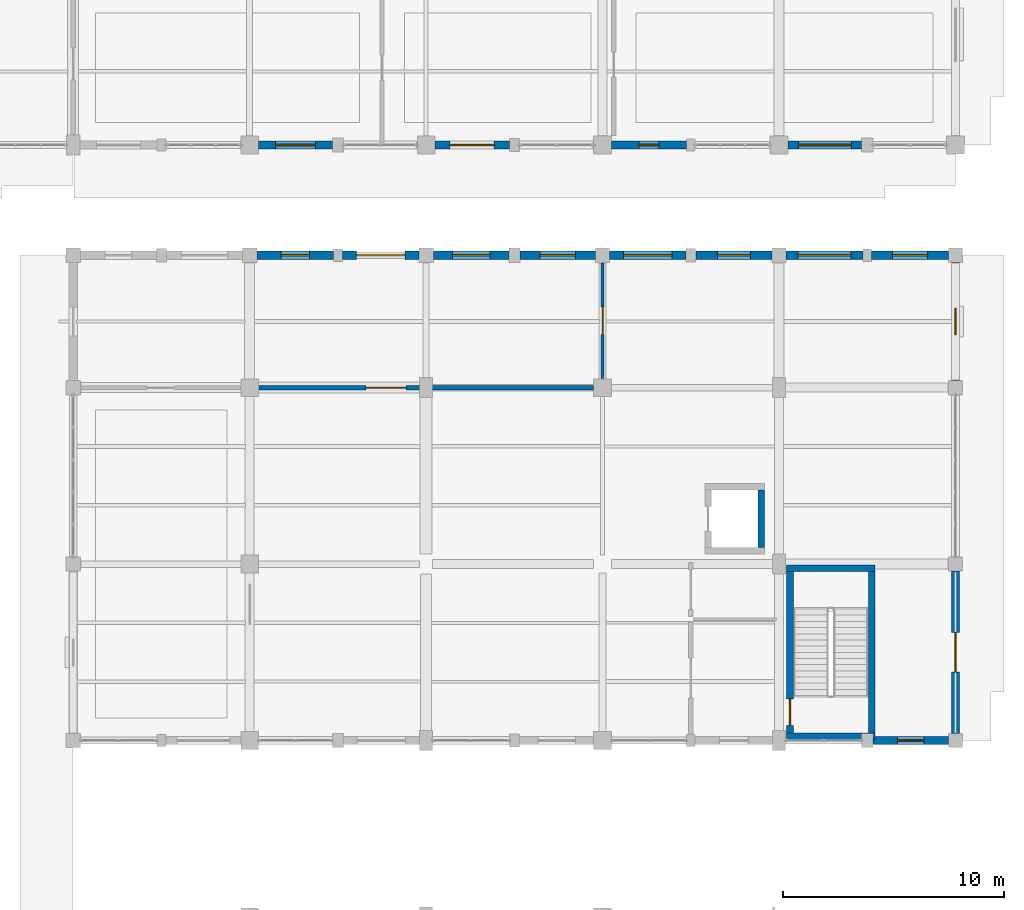
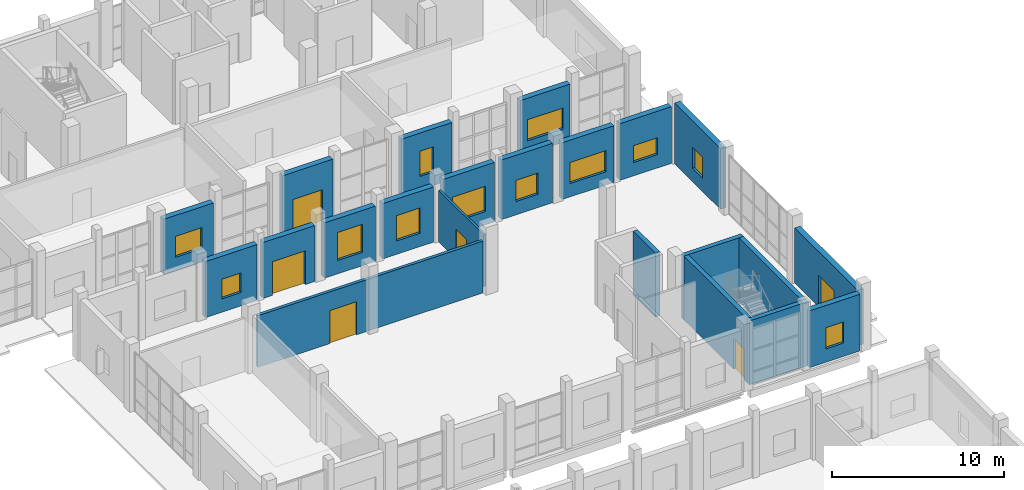
# One storey, part 131 of 156: 22 walls, 12 windows, 6 doors, 18 openings.
"""IFC4 building model written with IfcOpenShell, lengths in metres."""

from ifc_helpers import new_model, si_unit, direction, frame, frame_2d, origin, place, context, subcontext, project, spatial, rectangle, extrude, material, layer, layer_set, type_object, element, fill, save


model = new_model("IFC4")

# Units and contexts
model_context = context("Model", 3, precision=1e-05, world=origin(), true_north=direction((0.0, 1.0)))
body_context = subcontext(model_context, "Body", "Model", "MODEL_VIEW")
ifc_project = project(units=[si_unit("LENGTHUNIT", "METRE"), si_unit("AREAUNIT", "SQUARE_METRE"), si_unit("VOLUMEUNIT", "CUBIC_METRE"), si_unit("PLANEANGLEUNIT", "RADIAN"), si_unit("MASSUNIT", "GRAM", prefix="KILO")], contexts=[model_context])

# Site, building, storey
site_placement = place(None, origin())
site = spatial("IfcSite", under=ifc_project, at=site_placement, CompositionType="ELEMENT")
building_placement = place(site_placement, origin())
building = spatial("IfcBuilding", under=site, at=building_placement, Name="Luwemba Playhouse", CompositionType="ELEMENT")
storey_placement = place(building_placement, origin())
storey = spatial("IfcBuildingStorey", under=building, at=storey_placement, Name="L00", CompositionType="ELEMENT", Elevation=0.0)

# Wall, opening, window
ifc_material_1 = material(Name="Clay facing brick obra vista masonry", Category="masonry")
ifc_layer_1 = layer(ifc_material_1, 0.3798828125)
ifc_layer_set_1 = layer_set([ifc_layer_1], Name="Clay facing brick obra vista masonry")
wall_type_1 = type_object("IfcWallType", Name="WAL-BRK-380", PredefinedType="SOLIDWALL", material=ifc_layer_set_1)
wall_1_placement = place(storey_placement, frame((140.324951171875, 90.0, 0.0), z_axis=(0.0, 0.0, 1.0), x_axis=(1.0, 0.0, 0.0)))
wall_1 = element("IfcWall", 1, at=wall_1_placement, inside=storey, type_object=wall_type_1, Name="L00 V4 exterior facade wall 0054", PredefinedType="SOLIDWALL", context=body_context, shape_type="SweptSolid", body=[
    extrude(rectangle(XDim=3.47509765625, YDim=0.3798828125, at=frame_2d((1.737548828125, 0.0))), origin(), (0.0, 0.0, 1.0), 3.985107421875),
])
opening_1_placement = place(wall_1_placement, frame((1.08740234375, 0.0, 0.949951171875)))
opening_1 = element("IfcOpeningElement", 2, at=opening_1_placement, cuts=wall_1, Name="Opening WN-14", PredefinedType="OPENING", context=body_context, shape_type="SweptSolid", body=[
    extrude(rectangle(XDim=1.300048828125, YDim=1.39990234375, at=frame_2d((0.64990234375, 0.699951171875))), frame((0.0, 0.199951171875, 0.0), z_axis=(0.0, -1.0, 0.0), x_axis=(1.0, 0.0, 0.0)), (0.0, 0.0, 1.0), 0.39990234375),
])
ifc_material_2 = material(Name="Solar-control double glazing in aluminium frame", Category="aluminium")
window_type_1 = type_object("IfcWindowType", Name="WIN-WN-14", PartitioningType="SINGLE_PANEL", PredefinedType="WINDOW", material=ifc_material_2)
window_1_placement = place(opening_1_placement, origin())
window_1 = element("IfcWindow", 3, at=window_1_placement, inside=storey, type_object=window_type_1, Name="L00 V4 scheduled window 0035", OverallHeight=1.39990234375, OverallWidth=1.300048828125, PartitioningType="SINGLE_PANEL", PredefinedType="WINDOW", context=body_context, shape_type="SweptSolid", body=[
    extrude(rectangle(XDim=1.300048828125, YDim=1.39990234375, at=frame_2d((0.64990234375, 0.699951171875))), frame((0.0, 0.030029296875, 0.0), z_axis=(0.0, -1.0, 0.0), x_axis=(1.0, 0.0, 0.0)), (0.0, 0.0, 1.0), 0.06005859375),
])
fill(opening_1, window_1)

# Wall, opening, door
wall_2_placement = place(storey_placement, frame((144.199951171875, 90.0, 0.0), z_axis=(0.0, 0.0, 1.0), x_axis=(1.0, 0.0, 0.0)))
wall_2 = element("IfcWall", 4, at=wall_2_placement, inside=storey, type_object=wall_type_1, Name="L00 V4 exterior facade wall 0055", PredefinedType="SOLIDWALL", context=body_context, shape_type="SweptSolid", body=[
    extrude(rectangle(XDim=3.47509765625, YDim=0.3798828125, at=frame_2d((1.737548828125, 0.0))), origin(), (0.0, 0.0, 1.0), 3.985107421875),
])
opening_2_placement = place(wall_2_placement, frame((0.637451171875, 0.0, 0.0)))
opening_2 = element("IfcOpeningElement", 5, at=opening_2_placement, cuts=wall_2, Name="Opening E12", PredefinedType="OPENING", context=body_context, shape_type="SweptSolid", body=[
    extrude(rectangle(XDim=2.199951171875, YDim=2.39990234375, at=frame_2d((1.10009765625, 1.199951171875))), frame((0.0, 0.199951171875, 0.0), z_axis=(0.0, -1.0, 0.0), x_axis=(1.0, 0.0, 0.0)), (0.0, 0.0, 1.0), 0.39990234375),
])
ifc_material_3 = material(Name="Architectural bronze-anodised aluminium and glazed leaf", Category="aluminium")
door_type_1 = type_object("IfcDoorType", Name="DR-EXIT-220", OperationType="NOTDEFINED", PredefinedType="DOOR", material=ifc_material_3)
door_1_placement = place(opening_2_placement, origin())
door_1 = element("IfcDoor", 6, at=door_1_placement, inside=storey, type_object=door_type_1, Name="Black-Box Theatre north final exit E12", OperationType="DOUBLE_DOOR_SINGLE_SWING", OverallHeight=2.39990234375, OverallWidth=2.199951171875, PredefinedType="DOOR", context=body_context, shape_type="SweptSolid", body=[
    extrude(rectangle(XDim=2.199951171875, YDim=2.39990234375, at=frame_2d((1.10009765625, 1.199951171875))), frame((0.0, 0.02490234375, 0.0), z_axis=(0.0, -1.0, 0.0), x_axis=(1.0, 0.0, 0.0)), (0.0, 0.0, 1.0), 0.050048828125),
])
fill(opening_2, door_1)

# Wall, opening, window
wall_3_placement = place(storey_placement, frame((148.324951171875, 90.0, 0.0), z_axis=(0.0, 0.0, 1.0), x_axis=(1.0, 0.0, 0.0)))
wall_3 = element("IfcWall", 7, at=wall_3_placement, inside=storey, type_object=wall_type_1, Name="L00 V4 exterior facade wall 0056", PredefinedType="SOLIDWALL", context=body_context, shape_type="SweptSolid", body=[
    extrude(rectangle(XDim=3.425048828125, YDim=0.3798828125, at=frame_2d((1.71240234375, 0.0))), origin(), (0.0, 0.0, 1.0), 3.93505859375),
])
opening_3_placement = place(wall_3_placement, frame((0.862548828125, 0.0, 0.949951171875)))
opening_3 = element("IfcOpeningElement", 8, at=opening_3_placement, cuts=wall_3, Name="Opening WN-20", PredefinedType="OPENING", context=body_context, shape_type="SweptSolid", body=[
    extrude(rectangle(XDim=1.699951171875, YDim=2.0, at=frame_2d((0.85009765625, 1.0))), frame((0.0, 0.199951171875, 0.0), z_axis=(0.0, -1.0, 0.0), x_axis=(1.0, 0.0, 0.0)), (0.0, 0.0, 1.0), 0.39990234375),
])
window_type_2 = type_object("IfcWindowType", Name="WIN-WN-20", PartitioningType="DOUBLE_PANEL_VERTICAL", PredefinedType="WINDOW", material=ifc_material_2)
window_2_placement = place(opening_3_placement, origin())
window_2 = element("IfcWindow", 9, at=window_2_placement, inside=storey, type_object=window_type_2, Name="L00 V4 scheduled window 0036", OverallHeight=2.0, OverallWidth=1.699951171875, PartitioningType="DOUBLE_PANEL_VERTICAL", PredefinedType="WINDOW", context=body_context, shape_type="SweptSolid", body=[
    extrude(rectangle(XDim=1.699951171875, YDim=2.0, at=frame_2d((0.85009765625, 1.0))), frame((0.0, 0.030029296875, 0.0), z_axis=(0.0, -1.0, 0.0), x_axis=(1.0, 0.0, 0.0)), (0.0, 0.0, 1.0), 0.06005859375),
])
fill(opening_3, window_2)

wall_4_placement = place(storey_placement, frame((152.25, 90.0, 0.0), z_axis=(0.0, 0.0, 1.0), x_axis=(1.0, 0.0, 0.0)))
wall_4 = element("IfcWall", 10, at=wall_4_placement, inside=storey, type_object=wall_type_1, Name="L00 V4 exterior facade wall 0057", PredefinedType="SOLIDWALL", context=body_context, shape_type="SweptSolid", body=[
    extrude(rectangle(XDim=3.425048828125, YDim=0.3798828125, at=frame_2d((1.71240234375, 0.0))), origin(), (0.0, 0.0, 1.0), 3.93505859375),
])
opening_4_placement = place(wall_4_placement, frame((0.91259765625, 0.0, 0.949951171875)))
opening_4 = element("IfcOpeningElement", 11, at=opening_4_placement, cuts=wall_4, Name="Opening WN-03", PredefinedType="OPENING", context=body_context, shape_type="SweptSolid", body=[
    extrude(rectangle(XDim=1.60009765625, YDim=1.800048828125, at=frame_2d((0.800048828125, 0.89990234375))), frame((0.0, 0.199951171875, 0.0), z_axis=(0.0, -1.0, 0.0), x_axis=(1.0, 0.0, 0.0)), (0.0, 0.0, 1.0), 0.39990234375),
])
window_type_3 = type_object("IfcWindowType", Name="WIN-WN-03", PartitioningType="DOUBLE_PANEL_VERTICAL", PredefinedType="WINDOW", material=ifc_material_2)
window_3_placement = place(opening_4_placement, origin())
window_3 = element("IfcWindow", 12, at=window_3_placement, inside=storey, type_object=window_type_3, Name="L00 V4 scheduled window 0037", OverallHeight=1.800048828125, OverallWidth=1.60009765625, PartitioningType="DOUBLE_PANEL_VERTICAL", PredefinedType="WINDOW", context=body_context, shape_type="SweptSolid", body=[
    extrude(rectangle(XDim=1.60009765625, YDim=1.800048828125, at=frame_2d((0.800048828125, 0.89990234375))), frame((0.0, 0.030029296875, 0.0), z_axis=(0.0, -1.0, 0.0), x_axis=(1.0, 0.0, 0.0)), (0.0, 0.0, 1.0), 0.06005859375),
])
fill(opening_4, window_3)

wall_5_placement = place(storey_placement, frame((156.324951171875, 90.0, 0.0), z_axis=(0.0, 0.0, 1.0), x_axis=(1.0, 0.0, 0.0)))
wall_5 = element("IfcWall", 13, at=wall_5_placement, inside=storey, type_object=wall_type_1, Name="L00 V4 exterior facade wall 0058", PredefinedType="SOLIDWALL", context=body_context, shape_type="SweptSolid", body=[
    extrude(rectangle(XDim=3.449951171875, YDim=0.3798828125, at=frame_2d((1.72509765625, 0.0))), origin(), (0.0, 0.0, 1.0), 4.235107421875),
])
opening_5_placement = place(wall_5_placement, frame((0.625, 0.0, 0.949951171875)))
opening_5 = element("IfcOpeningElement", 14, at=opening_5_placement, cuts=wall_5, Name="Opening WN-06", PredefinedType="OPENING", context=body_context, shape_type="SweptSolid", body=[
    extrude(rectangle(XDim=2.199951171875, YDim=1.800048828125, at=frame_2d((1.10009765625, 0.89990234375))), frame((0.0, 0.199951171875, 0.0), z_axis=(0.0, -1.0, 0.0), x_axis=(1.0, 0.0, 0.0)), (0.0, 0.0, 1.0), 0.39990234375),
])
window_type_4 = type_object("IfcWindowType", Name="WIN-WN-06", PartitioningType="TRIPLE_PANEL_VERTICAL", PredefinedType="WINDOW", material=ifc_material_2)
window_4_placement = place(opening_5_placement, origin())
window_4 = element("IfcWindow", 15, at=window_4_placement, inside=storey, type_object=window_type_4, Name="L00 V4 scheduled window 0038", OverallHeight=1.800048828125, OverallWidth=2.199951171875, PartitioningType="TRIPLE_PANEL_VERTICAL", PredefinedType="WINDOW", context=body_context, shape_type="SweptSolid", body=[
    extrude(rectangle(XDim=2.199951171875, YDim=1.800048828125, at=frame_2d((1.10009765625, 0.89990234375))), frame((0.0, 0.030029296875, 0.0), z_axis=(0.0, -1.0, 0.0), x_axis=(1.0, 0.0, 0.0)), (0.0, 0.0, 1.0), 0.06005859375),
])
fill(opening_5, window_4)

wall_6_placement = place(storey_placement, frame((160.22509765625, 90.0, 0.0), z_axis=(0.0, 0.0, 1.0), x_axis=(1.0, 0.0, 0.0)))
wall_6 = element("IfcWall", 16, at=wall_6_placement, inside=storey, type_object=wall_type_1, Name="L00 V4 exterior facade wall 0059", PredefinedType="SOLIDWALL", context=body_context, shape_type="SweptSolid", body=[
    extrude(rectangle(XDim=3.449951171875, YDim=0.3798828125, at=frame_2d((1.72509765625, 0.0))), origin(), (0.0, 0.0, 1.0), 4.235107421875),
])
opening_6_placement = place(wall_6_placement, frame((0.97509765625, 0.0, 0.949951171875)))
opening_6 = element("IfcOpeningElement", 17, at=opening_6_placement, cuts=wall_6, Name="Opening WN-09", PredefinedType="OPENING", context=body_context, shape_type="SweptSolid", body=[
    extrude(rectangle(XDim=1.5, YDim=1.5, at=frame_2d((0.75, 0.75))), frame((0.0, 0.199951171875, 0.0), z_axis=(0.0, -1.0, 0.0), x_axis=(1.0, 0.0, 0.0)), (0.0, 0.0, 1.0), 0.39990234375),
])
window_type_5 = type_object("IfcWindowType", Name="WIN-WN-09", PartitioningType="DOUBLE_PANEL_VERTICAL", PredefinedType="WINDOW", material=ifc_material_2)
window_5_placement = place(opening_6_placement, origin())
window_5 = element("IfcWindow", 18, at=window_5_placement, inside=storey, type_object=window_type_5, Name="L00 V4 scheduled window 0039", OverallHeight=1.5, OverallWidth=1.5, PartitioningType="DOUBLE_PANEL_VERTICAL", PredefinedType="WINDOW", context=body_context, shape_type="SweptSolid", body=[
    extrude(rectangle(XDim=1.5, YDim=1.5, at=frame_2d((0.75, 0.75))), frame((0.0, 0.030029296875, 0.0), z_axis=(0.0, -1.0, 0.0), x_axis=(1.0, 0.0, 0.0)), (0.0, 0.0, 1.0), 0.06005859375),
])
fill(opening_6, window_5)

wall_7_placement = place(storey_placement, frame((164.324951171875, 90.0, 0.0), z_axis=(0.0, 0.0, 1.0), x_axis=(1.0, 0.0, 0.0)))
wall_7 = element("IfcWall", 19, at=wall_7_placement, inside=storey, type_object=wall_type_1, Name="L00 V4 exterior facade wall 0060", PredefinedType="SOLIDWALL", context=body_context, shape_type="SweptSolid", body=[
    extrude(rectangle(XDim=3.47509765625, YDim=0.3798828125, at=frame_2d((1.737548828125, 0.0))), origin(), (0.0, 0.0, 1.0), 4.034912109375),
])
opening_7_placement = place(wall_7_placement, frame((0.53759765625, 0.0, 0.949951171875)))
opening_7 = element("IfcOpeningElement", 20, at=opening_7_placement, cuts=wall_7, Name="Opening WN-12", PredefinedType="OPENING", context=body_context, shape_type="SweptSolid", body=[
    extrude(rectangle(XDim=2.39990234375, YDim=1.5, at=frame_2d((1.199951171875, 0.75))), frame((0.0, 0.199951171875, 0.0), z_axis=(0.0, -1.0, 0.0), x_axis=(1.0, 0.0, 0.0)), (0.0, 0.0, 1.0), 0.39990234375),
])
window_type_6 = type_object("IfcWindowType", Name="WIN-WN-12", PartitioningType="TRIPLE_PANEL_VERTICAL", PredefinedType="WINDOW", material=ifc_material_2)
window_6_placement = place(opening_7_placement, origin())
window_6 = element("IfcWindow", 21, at=window_6_placement, inside=storey, type_object=window_type_6, Name="L00 V4 scheduled window 0040", OverallHeight=1.5, OverallWidth=2.39990234375, PartitioningType="TRIPLE_PANEL_VERTICAL", PredefinedType="WINDOW", context=body_context, shape_type="SweptSolid", body=[
    extrude(rectangle(XDim=2.39990234375, YDim=1.5, at=frame_2d((1.199951171875, 0.75))), frame((0.0, 0.030029296875, 0.0), z_axis=(0.0, -1.0, 0.0), x_axis=(1.0, 0.0, 0.0)), (0.0, 0.0, 1.0), 0.06005859375),
])
fill(opening_7, window_6)

wall_8_placement = place(storey_placement, frame((168.199951171875, 90.0, 0.0), z_axis=(0.0, 0.0, 1.0), x_axis=(1.0, 0.0, 0.0)))
wall_8 = element("IfcWall", 22, at=wall_8_placement, inside=storey, type_object=wall_type_1, Name="L00 V4 exterior facade wall 0061", PredefinedType="SOLIDWALL", context=body_context, shape_type="SweptSolid", body=[
    extrude(rectangle(XDim=3.47509765625, YDim=0.3798828125, at=frame_2d((1.737548828125, 0.0))), origin(), (0.0, 0.0, 1.0), 4.034912109375),
])
opening_8_placement = place(wall_8_placement, frame((0.9375, 0.0, 0.949951171875)))
opening_8 = element("IfcOpeningElement", 23, at=opening_8_placement, cuts=wall_8, Name="Opening WN-15", PredefinedType="OPENING", context=body_context, shape_type="SweptSolid", body=[
    extrude(rectangle(XDim=1.60009765625, YDim=1.199951171875, at=frame_2d((0.800048828125, 0.60009765625))), frame((0.0, 0.199951171875, 0.0), z_axis=(0.0, -1.0, 0.0), x_axis=(1.0, 0.0, 0.0)), (0.0, 0.0, 1.0), 0.39990234375),
])
window_type_7 = type_object("IfcWindowType", Name="WIN-WN-15", PartitioningType="DOUBLE_PANEL_HORIZONTAL", PredefinedType="WINDOW", material=ifc_material_2)
window_7_placement = place(opening_8_placement, origin())
window_7 = element("IfcWindow", 24, at=window_7_placement, inside=storey, type_object=window_type_7, Name="L00 V4 scheduled window 0041", OverallHeight=1.199951171875, OverallWidth=1.60009765625, PartitioningType="DOUBLE_PANEL_HORIZONTAL", PredefinedType="WINDOW", context=body_context, shape_type="SweptSolid", body=[
    extrude(rectangle(XDim=1.60009765625, YDim=1.199951171875, at=frame_2d((0.800048828125, 0.60009765625))), frame((0.0, 0.030029296875, 0.0), z_axis=(0.0, -1.0, 0.0), x_axis=(1.0, 0.0, 0.0)), (0.0, 0.0, 1.0), 0.06005859375),
])
fill(opening_8, window_7)

wall_9_placement = place(storey_placement, frame((172.0, 89.675048828125, 0.0), z_axis=(0.0, 0.0, 1.0), x_axis=(0.0, -1.0, 0.0)))
wall_9 = element("IfcWall", 25, at=wall_9_placement, inside=storey, type_object=wall_type_1, Name="L00 V4 exterior facade wall 0062", PredefinedType="SOLIDWALL", context=body_context, shape_type="SweptSolid", body=[
    extrude(rectangle(XDim=5.35009765625, YDim=0.3798828125, at=frame_2d((2.675048828125, 0.0))), origin(), (0.0, 0.0, 1.0), 4.3349609375),
])
opening_9_placement = place(wall_9_placement, frame((2.074951171875, 0.0, 0.949951171875)))
opening_9 = element("IfcOpeningElement", 26, at=opening_9_placement, cuts=wall_9, Name="Opening WN-08", PredefinedType="OPENING", context=body_context, shape_type="SweptSolid", body=[
    extrude(rectangle(XDim=1.199951171875, YDim=1.5, at=frame_2d((0.60009765625, 0.75))), frame((0.0, 0.199951171875, 0.0), z_axis=(0.0, -1.0, 0.0), x_axis=(1.0, 0.0, 0.0)), (0.0, 0.0, 1.0), 0.39990234375),
])
window_type_8 = type_object("IfcWindowType", Name="WIN-WN-08", PartitioningType="SINGLE_PANEL", PredefinedType="WINDOW", material=ifc_material_2)
window_8_placement = place(opening_9_placement, origin())
window_8 = element("IfcWindow", 27, at=window_8_placement, inside=storey, type_object=window_type_8, Name="L00 V4 scheduled window 0042", OverallHeight=1.5, OverallWidth=1.199951171875, PartitioningType="SINGLE_PANEL", PredefinedType="WINDOW", context=body_context, shape_type="SweptSolid", body=[
    extrude(rectangle(XDim=1.199951171875, YDim=1.5, at=frame_2d((0.60009765625, 0.75))), frame((0.0, 0.030029296875, 0.0), z_axis=(0.0, -1.0, 0.0), x_axis=(1.0, 0.0, 0.0)), (0.0, 0.0, 1.0), 0.06005859375),
])
fill(opening_9, window_8)

# Wall, opening, door
wall_10_placement = place(storey_placement, frame((172.0, 75.675048828125, 0.0), z_axis=(0.0, 0.0, 1.0), x_axis=(0.0, -1.0, 0.0)))
wall_10 = element("IfcWall", 28, at=wall_10_placement, inside=storey, type_object=wall_type_1, Name="L00 V4 exterior facade wall 0063", PredefinedType="SOLIDWALL", context=body_context, shape_type="SweptSolid", body=[
    extrude(rectangle(XDim=7.35009765625, YDim=0.3798828125, at=frame_2d((3.675048828125, 0.0))), origin(), (0.0, 0.0, 1.0), 3.93505859375),
])
opening_10_placement = place(wall_10_placement, frame((2.77490234375, 0.0, 0.0)))
opening_10 = element("IfcOpeningElement", 29, at=opening_10_placement, cuts=wall_10, Name="Opening E21", PredefinedType="OPENING", context=body_context, shape_type="SweptSolid", body=[
    extrude(rectangle(XDim=1.800048828125, YDim=2.25, at=frame_2d((0.89990234375, 1.125))), frame((0.0, 0.199951171875, 0.0), z_axis=(0.0, -1.0, 0.0), x_axis=(1.0, 0.0, 0.0)), (0.0, 0.0, 1.0), 0.39990234375),
])
door_type_2 = type_object("IfcDoorType", Name="DR-EXIT-180", OperationType="NOTDEFINED", PredefinedType="DOOR", material=ifc_material_3)
door_2_placement = place(opening_10_placement, origin())
door_2 = element("IfcDoor", 30, at=door_2_placement, inside=storey, type_object=door_type_2, Name="Stair ST-07 final exit discharge door", OperationType="DOUBLE_DOOR_SINGLE_SWING", OverallHeight=2.25, OverallWidth=1.800048828125, PredefinedType="DOOR", context=body_context, shape_type="SweptSolid", body=[
    extrude(rectangle(XDim=1.800048828125, YDim=2.25, at=frame_2d((0.89990234375, 1.125))), frame((0.0, 0.02490234375, 0.0), z_axis=(0.0, -1.0, 0.0), x_axis=(1.0, 0.0, 0.0)), (0.0, 0.0, 1.0), 0.050048828125),
])
fill(opening_10, door_2)

# Wall, opening, window
wall_11_placement = place(storey_placement, frame((171.675048828125, 68.0, 0.0), z_axis=(0.0, 0.0, 1.0), x_axis=(-1.0, 0.0, 0.0)))
wall_11 = element("IfcWall", 31, at=wall_11_placement, inside=storey, type_object=wall_type_1, Name="L00 V4 exterior facade wall 0064", PredefinedType="SOLIDWALL", context=body_context, shape_type="SweptSolid", body=[
    extrude(rectangle(XDim=3.425048828125, YDim=0.3798828125, at=frame_2d((1.71240234375, 0.0))), origin(), (0.0, 0.0, 1.0), 4.034912109375),
])
opening_11_placement = place(wall_11_placement, frame((1.112548828125, 0.0, 0.949951171875)))
opening_11 = element("IfcOpeningElement", 32, at=opening_11_placement, cuts=wall_11, Name="Opening WN-08", PredefinedType="OPENING", context=body_context, shape_type="SweptSolid", body=[
    extrude(rectangle(XDim=1.199951171875, YDim=1.5, at=frame_2d((0.60009765625, 0.75))), frame((0.0, 0.199951171875, 0.0), z_axis=(0.0, -1.0, 0.0), x_axis=(1.0, 0.0, 0.0)), (0.0, 0.0, 1.0), 0.39990234375),
])
window_9_placement = place(opening_11_placement, origin())
window_9 = element("IfcWindow", 33, at=window_9_placement, inside=storey, type_object=window_type_8, Name="L00 V4 scheduled window 0043", OverallHeight=1.5, OverallWidth=1.199951171875, PartitioningType="SINGLE_PANEL", PredefinedType="WINDOW", context=body_context, shape_type="SweptSolid", body=[
    extrude(rectangle(XDim=1.199951171875, YDim=1.5, at=frame_2d((0.60009765625, 0.75))), frame((0.0, 0.030029296875, 0.0), z_axis=(0.0, -1.0, 0.0), x_axis=(1.0, 0.0, 0.0)), (0.0, 0.0, 1.0), 0.06005859375),
])
fill(opening_11, window_9)

wall_12_placement = place(storey_placement, frame((167.75, 95.0, 0.0), z_axis=(0.0, 0.0, 1.0), x_axis=(-1.0, 0.0, 0.0)))
wall_12 = element("IfcWall", 34, at=wall_12_placement, inside=storey, type_object=wall_type_1, Name="L00 V6E exterior facade wall 0125", PredefinedType="SOLIDWALL", context=body_context, shape_type="SweptSolid", body=[
    extrude(rectangle(XDim=3.35009765625, YDim=0.3798828125, at=frame_2d((1.675048828125, 0.0))), origin(), (0.0, 0.0, 1.0), 3.985107421875),
])
opening_12_placement = place(wall_12_placement, frame((0.47509765625, 0.0, 0.949951171875)))
opening_12 = element("IfcOpeningElement", 35, at=opening_12_placement, cuts=wall_12, Name="Opening WN-12", PredefinedType="OPENING", context=body_context, shape_type="SweptSolid", body=[
    extrude(rectangle(XDim=2.39990234375, YDim=1.5, at=frame_2d((1.199951171875, 0.75))), frame((0.0, 0.199951171875, 0.0), z_axis=(0.0, -1.0, 0.0), x_axis=(1.0, 0.0, 0.0)), (0.0, 0.0, 1.0), 0.39990234375),
])
window_10_placement = place(opening_12_placement, origin())
window_10 = element("IfcWindow", 36, at=window_10_placement, inside=storey, type_object=window_type_6, Name="L00 V6E scheduled window 0082", OverallHeight=1.5, OverallWidth=2.39990234375, PartitioningType="TRIPLE_PANEL_VERTICAL", PredefinedType="WINDOW", context=body_context, shape_type="SweptSolid", body=[
    extrude(rectangle(XDim=2.39990234375, YDim=1.5, at=frame_2d((1.199951171875, 0.75))), frame((0.0, 0.030029296875, 0.0), z_axis=(0.0, -1.0, 0.0), x_axis=(1.0, 0.0, 0.0)), (0.0, 0.0, 1.0), 0.06005859375),
])
fill(opening_12, window_10)

wall_13_placement = place(storey_placement, frame((159.800048828125, 95.0, 0.0), z_axis=(0.0, 0.0, 1.0), x_axis=(-1.0, 0.0, 0.0)))
wall_13 = element("IfcWall", 37, at=wall_13_placement, inside=storey, type_object=wall_type_1, Name="L00 V6E exterior facade wall 0126", PredefinedType="SOLIDWALL", context=body_context, shape_type="SweptSolid", body=[
    extrude(rectangle(XDim=3.400146484375, YDim=0.3798828125, at=frame_2d((1.7001953125, 0.0))), origin(), (0.0, 0.0, 1.0), 4.034912109375),
])
opening_13_placement = place(wall_13_placement, frame((1.25, 0.0, 0.949951171875)))
opening_13 = element("IfcOpeningElement", 38, at=opening_13_placement, cuts=wall_13, Name="Opening WN-18", PredefinedType="OPENING", context=body_context, shape_type="SweptSolid", body=[
    extrude(rectangle(XDim=0.89990234375, YDim=1.800048828125, at=frame_2d((0.449951171875, 0.89990234375))), frame((0.0, 0.199951171875, 0.0), z_axis=(0.0, -1.0, 0.0), x_axis=(1.0, 0.0, 0.0)), (0.0, 0.0, 1.0), 0.39990234375),
])
window_type_9 = type_object("IfcWindowType", Name="WIN-WN-18", PartitioningType="SINGLE_PANEL", PredefinedType="WINDOW", material=ifc_material_2)
window_11_placement = place(opening_13_placement, origin())
window_11 = element("IfcWindow", 39, at=window_11_placement, inside=storey, type_object=window_type_9, Name="L00 V6E scheduled window 0083", OverallHeight=1.800048828125, OverallWidth=0.89990234375, PartitioningType="SINGLE_PANEL", PredefinedType="WINDOW", context=body_context, shape_type="SweptSolid", body=[
    extrude(rectangle(XDim=0.89990234375, YDim=1.800048828125, at=frame_2d((0.449951171875, 0.89990234375))), frame((0.0, 0.030029296875, 0.0), z_axis=(0.0, -1.0, 0.0), x_axis=(1.0, 0.0, 0.0)), (0.0, 0.0, 1.0), 0.06005859375),
])
fill(opening_13, window_11)

# Wall, opening, door
wall_14_placement = place(storey_placement, frame((151.77490234375, 95.0, 0.0), z_axis=(0.0, 0.0, 1.0), x_axis=(-1.0, 0.0, 0.0)))
wall_14 = element("IfcWall", 40, at=wall_14_placement, inside=storey, type_object=wall_type_1, Name="L00 V6E exterior facade wall 0127", PredefinedType="SOLIDWALL", context=body_context, shape_type="SweptSolid", body=[
    extrude(rectangle(XDim=3.375, YDim=0.3798828125, at=frame_2d((1.6875, 0.0))), origin(), (0.0, 0.0, 1.0), 4.235107421875),
])
opening_14_placement = place(wall_14_placement, frame((0.6875, 0.0, 0.0)))
opening_14 = element("IfcOpeningElement", 41, at=opening_14_placement, cuts=wall_14, Name="Opening E13", PredefinedType="OPENING", context=body_context, shape_type="SweptSolid", body=[
    extrude(rectangle(XDim=2.0, YDim=2.300048828125, at=frame_2d((1.0, 1.14990234375))), frame((0.0, 0.199951171875, 0.0), z_axis=(0.0, -1.0, 0.0), x_axis=(1.0, 0.0, 0.0)), (0.0, 0.0, 1.0), 0.39990234375),
])
door_type_3 = type_object("IfcDoorType", Name="DR-EXIT-200", OperationType="NOTDEFINED", PredefinedType="DOOR", material=ifc_material_3)
door_3_placement = place(opening_14_placement, origin())
door_3 = element("IfcDoor", 42, at=door_3_placement, inside=storey, type_object=door_type_3, Name="Conservatory cloister final exit E13", OperationType="DOUBLE_DOOR_SINGLE_SWING", OverallHeight=2.300048828125, OverallWidth=2.0, PredefinedType="DOOR", context=body_context, shape_type="SweptSolid", body=[
    extrude(rectangle(XDim=2.0, YDim=2.300048828125, at=frame_2d((1.0, 1.14990234375))), frame((0.0, 0.02490234375, 0.0), z_axis=(0.0, -1.0, 0.0), x_axis=(1.0, 0.0, 0.0)), (0.0, 0.0, 1.0), 0.050048828125),
])
fill(opening_14, door_3)

# Wall, opening, window
wall_15_placement = place(storey_placement, frame((143.75, 95.0, 0.0), z_axis=(0.0, 0.0, 1.0), x_axis=(-1.0, 0.0, 0.0)))
wall_15 = element("IfcWall", 43, at=wall_15_placement, inside=storey, type_object=wall_type_1, Name="L00 V6E exterior facade wall 0128", PredefinedType="SOLIDWALL", context=body_context, shape_type="SweptSolid", body=[
    extrude(rectangle(XDim=3.35009765625, YDim=0.3798828125, at=frame_2d((1.675048828125, 0.0))), origin(), (0.0, 0.0, 1.0), 3.93505859375),
])
opening_15_placement = place(wall_15_placement, frame((0.77490234375, 0.0, 0.949951171875)))
opening_15 = element("IfcOpeningElement", 44, at=opening_15_placement, cuts=wall_15, Name="Opening WN-10", PredefinedType="OPENING", context=body_context, shape_type="SweptSolid", body=[
    extrude(rectangle(XDim=1.800048828125, YDim=1.5, at=frame_2d((0.89990234375, 0.75))), frame((0.0, 0.199951171875, 0.0), z_axis=(0.0, -1.0, 0.0), x_axis=(1.0, 0.0, 0.0)), (0.0, 0.0, 1.0), 0.39990234375),
])
window_type_10 = type_object("IfcWindowType", Name="WIN-WN-10", PartitioningType="DOUBLE_PANEL_VERTICAL", PredefinedType="WINDOW", material=ifc_material_2)
window_12_placement = place(opening_15_placement, origin())
window_12 = element("IfcWindow", 45, at=window_12_placement, inside=storey, type_object=window_type_10, Name="L00 V6E scheduled window 0084", OverallHeight=1.5, OverallWidth=1.800048828125, PartitioningType="DOUBLE_PANEL_VERTICAL", PredefinedType="WINDOW", context=body_context, shape_type="SweptSolid", body=[
    extrude(rectangle(XDim=1.800048828125, YDim=1.5, at=frame_2d((0.89990234375, 0.75))), frame((0.0, 0.030029296875, 0.0), z_axis=(0.0, -1.0, 0.0), x_axis=(1.0, 0.0, 0.0)), (0.0, 0.0, 1.0), 0.06005859375),
])
fill(opening_15, window_12)

# Walls
ifc_material_4 = material(Name="Concrete C40/50", Category="concrete")
ifc_layer_2 = layer(ifc_material_4, 0.300048828125)
ifc_layer_set_2 = layer_set([ifc_layer_2], Name="Concrete C40/50")
wall_type_2 = type_object("IfcWallType", Name="WAL-CORE-300", PredefinedType="SHEAR", material=ifc_layer_set_2)
for number, where, z_axis, x_axis, name in (
    (46, (164.35009765625, 68.18994140625, 0.0), (0.0, 0.0, 1.0), (1.0, 0.0, 0.0), "L00 ST-07 stair core wall S"),
    (47, (168.35009765625, 75.81005859375, 0.0), (0.0, 0.0, 1.0), (-1.0, 0.0, 0.0), "L00 ST-07 stair core wall N"),
):
    element("IfcWall", number, at=place(storey_placement, frame(where, z_axis=z_axis, x_axis=x_axis)), inside=storey, type_object=wall_type_2, Name=name, PredefinedType="SHEAR", context=body_context, shape_type="SweptSolid", body=[
        extrude(rectangle(XDim=4.0, YDim=0.300048828125, at=frame_2d((2.0, 0.0))), origin(), (0.0, 0.0, 1.0), 4.550048828125),
    ])

# Wall, opening, door
wall_16_placement = place(storey_placement, frame((164.5, 68.340087890625, 0.0), z_axis=(0.0, 0.0, 1.0), x_axis=(0.0, 1.0, 0.0)))
wall_16 = element("IfcWall", 48, at=wall_16_placement, inside=storey, type_object=wall_type_2, Name="L00 ST-07 stair core wall W", PredefinedType="SHEAR", context=body_context, shape_type="SweptSolid", body=[
    extrude(rectangle(XDim=7.31982421875, YDim=0.300048828125, at=frame_2d((3.659912109375, 0.0))), origin(), (0.0, 0.0, 1.0), 4.550048828125),
])
opening_16_placement = place(wall_16_placement, frame((0.35009765625, 0.0, 0.0)))
opening_16 = element("IfcOpeningElement", 49, at=opening_16_placement, cuts=wall_16, Name="Opening D-STAIR3", PredefinedType="OPENING", context=body_context, shape_type="SweptSolid", body=[
    extrude(rectangle(XDim=1.199951171875, YDim=2.14990234375, at=frame_2d((0.60009765625, 1.074951171875))), frame((0.0, 0.159912109375, 0.0), z_axis=(0.0, -1.0, 0.0), x_axis=(1.0, 0.0, 0.0)), (0.0, 0.0, 1.0), 0.320068359375),
])
ifc_material_5 = material(Name="Hardwood acoustic fire door leaf", Category="wood")
door_type_4 = type_object("IfcDoorType", Name="DR-STAIR-120", OperationType="NOTDEFINED", PredefinedType="DOOR", material=ifc_material_5)
door_4_placement = place(opening_16_placement, origin())
door_4 = element("IfcDoor", 50, at=door_4_placement, inside=storey, type_object=door_type_4, Name="L00 ST-07 protected stair entry door", OperationType="SINGLE_SWING_LEFT", OverallHeight=2.14990234375, OverallWidth=1.199951171875, PredefinedType="DOOR", context=body_context, shape_type="SweptSolid", body=[
    extrude(rectangle(XDim=1.199951171875, YDim=2.14990234375, at=frame_2d((0.60009765625, 1.074951171875))), frame((0.0, 0.02490234375, 0.0), z_axis=(0.0, -1.0, 0.0), x_axis=(1.0, 0.0, 0.0)), (0.0, 0.0, 1.0), 0.050048828125),
])
fill(opening_16, door_4)

# Walls
wall_17_placement = place(storey_placement, frame((168.199951171875, 75.659912109375, 0.0), z_axis=(0.0, 0.0, 1.0), x_axis=(0.0, -1.0, 0.0)))
element("IfcWall", 51, at=wall_17_placement, inside=storey, type_object=wall_type_2, Name="L00 ST-07 stair core wall E", PredefinedType="SHEAR", context=body_context, shape_type="SweptSolid", body=[
    extrude(rectangle(XDim=7.31982421875, YDim=0.300048828125, at=frame_2d((3.659912109375, 0.0))), origin(), (0.0, 0.0, 1.0), 4.550048828125),
])
wall_18_placement = place(storey_placement, frame((163.199951171875, 79.35009765625, 0.0), z_axis=(0.0, 0.0, 1.0), x_axis=(0.0, -1.0, 0.0)))
element("IfcWall", 52, at=wall_18_placement, inside=storey, type_object=wall_type_2, Name="L00 Lift LF-P7 shaft wall E", PredefinedType="SHEAR", context=body_context, shape_type="SweptSolid", body=[
    extrude(rectangle(XDim=2.60009765625, YDim=0.300048828125, at=frame_2d((1.300048828125, 0.0))), origin(), (0.0, 0.0, 1.0), 4.550048828125),
])

# Wall, opening, door
ifc_material_6 = material(Name="Acoustic gypsum stud partition", Category="gypsum")
ifc_layer_3 = layer(ifc_material_6, 0.14990234375)
ifc_layer_set_3 = layer_set([ifc_layer_3], Name="Acoustic gypsum stud partition")
wall_type_3 = type_object("IfcWallType", Name="WAL-INT-150", PredefinedType="PARTITIONING", material=ifc_layer_set_3)
wall_19_placement = place(storey_placement, frame((156.0, 84.419921875, 0.0), z_axis=(0.0, 0.0, 1.0), x_axis=(0.0, 1.0, 0.0)))
wall_19 = element("IfcWall", 53, at=wall_19_placement, inside=storey, type_object=wall_type_3, Name="L00 V4 interior partition 0086", PredefinedType="PARTITIONING", context=body_context, shape_type="SweptSolid", body=[
    extrude(rectangle(XDim=5.235107421875, YDim=0.14990234375, at=frame_2d((2.61767578125, 0.0))), origin(), (0.0, 0.0, 1.0), 3.68505859375),
])
opening_17_placement = place(wall_19_placement, frame((1.992431640625, 0.0, 0.0)))
opening_17 = element("IfcOpeningElement", 54, at=opening_17_placement, cuts=wall_19, Name="Opening D-IN1", PredefinedType="OPENING", context=body_context, shape_type="SweptSolid", body=[
    extrude(rectangle(XDim=1.25, YDim=2.14990234375, at=frame_2d((0.625, 1.074951171875))), frame((0.0, 0.0849609375, 0.0), z_axis=(0.0, -1.0, 0.0), x_axis=(1.0, 0.0, 0.0)), (0.0, 0.0, 1.0), 0.169921875),
])
ifc_material_7 = material(Name="Solid hardwood interior door", Category="wood")
door_type_5 = type_object("IfcDoorType", Name="DR-INT-125", OperationType="NOTDEFINED", PredefinedType="DOOR", material=ifc_material_7)
door_5_placement = place(opening_17_placement, origin())
door_5 = element("IfcDoor", 55, at=door_5_placement, inside=storey, type_object=door_type_5, Name="L00 Black-Box Artist Crossover Corridor to Black-Box Performers Green Room door", OperationType="SINGLE_SWING_LEFT", OverallHeight=2.14990234375, OverallWidth=1.25, PredefinedType="DOOR", context=body_context, shape_type="SweptSolid", body=[
    extrude(rectangle(XDim=1.25, YDim=2.14990234375, at=frame_2d((0.625, 1.074951171875))), frame((0.0, 0.02490234375, 0.0), z_axis=(0.0, -1.0, 0.0), x_axis=(1.0, 0.0, 0.0)), (0.0, 0.0, 1.0), 0.050048828125),
])
fill(opening_17, door_5)

ifc_material_8 = material(Name="Clay acoustic masonry blockwork", Category="masonry")
ifc_layer_4 = layer(ifc_material_8, 0.199951171875)
ifc_layer_set_4 = layer_set([ifc_layer_4], Name="Clay acoustic masonry blockwork")
wall_type_4 = type_object("IfcWallType", Name="WAL-INT-200", PredefinedType="PARTITIONING", material=ifc_layer_set_4)
wall_20_placement = place(storey_placement, frame((140.419921875, 84.0, 0.0), z_axis=(0.0, 0.0, 1.0), x_axis=(1.0, 0.0, 0.0)))
wall_20 = element("IfcWall", 56, at=wall_20_placement, inside=storey, type_object=wall_type_4, Name="L00 V4 interior partition 0082", PredefinedType="PARTITIONING", context=body_context, shape_type="SweptSolid", body=[
    extrude(rectangle(XDim=15.16015625, YDim=0.199951171875, at=frame_2d((7.580078125, 0.0))), origin(), (0.0, 0.0, 1.0), 3.68505859375),
])
opening_18_placement = place(wall_20_placement, frame((4.86083984375, 0.0, 0.0)))
opening_18 = element("IfcOpeningElement", 57, at=opening_18_placement, cuts=wall_20, Name="Opening D-AUD1", PredefinedType="OPENING", context=body_context, shape_type="SweptSolid", body=[
    extrude(rectangle(XDim=1.800048828125, YDim=2.35009765625, at=frame_2d((0.89990234375, 1.175048828125))), frame((0.0, 0.10986328125, 0.0), z_axis=(0.0, -1.0, 0.0), x_axis=(1.0, 0.0, 0.0)), (0.0, 0.0, 1.0), 0.219970703125),
])
ifc_material_9 = material(Name="Double acoustic timber theatre door", Category="wood")
door_type_6 = type_object("IfcDoorType", Name="DR-AUD-180", OperationType="NOTDEFINED", PredefinedType="DOOR", material=ifc_material_9)
door_6_placement = place(opening_18_placement, origin())
door_6 = element("IfcDoor", 58, at=door_6_placement, inside=storey, type_object=door_type_6, Name="L00 Black-Box Theatre to Black-Box Artist Crossover Corridor door", OperationType="DOUBLE_DOOR_SINGLE_SWING", OverallHeight=2.35009765625, OverallWidth=1.800048828125, PredefinedType="DOOR", context=body_context, shape_type="SweptSolid", body=[
    extrude(rectangle(XDim=1.800048828125, YDim=2.35009765625, at=frame_2d((0.89990234375, 1.175048828125))), frame((0.0, 0.02490234375, 0.0), z_axis=(0.0, -1.0, 0.0), x_axis=(1.0, 0.0, 0.0)), (0.0, 0.0, 1.0), 0.050048828125),
])
fill(opening_18, door_6)

save(model, "model.ifc")
